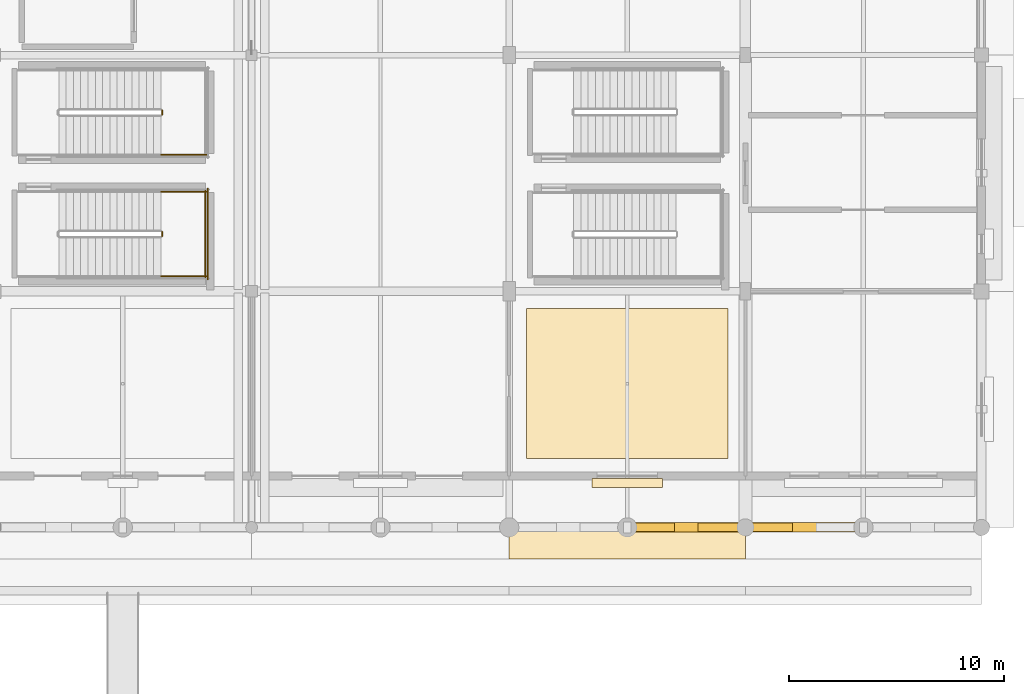
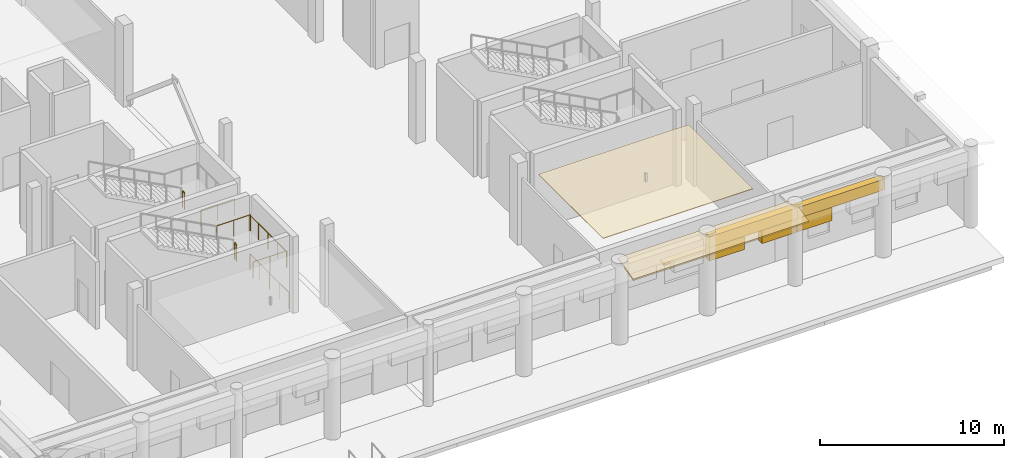
# One storey, part 110 of 120: 8 coverings, 7 railings.
"""IFC4 building model written with IfcOpenShell, lengths in metres."""

import ifcopenshell
import ifcopenshell.guid

model = None  # the IFC model being written
_history = None  # IfcOwnerHistory: only IFC2X3 demands one
_inside = {}  # id of a spatial element -> (the spatial element, [elements in it])
_under = {}  # id of a project, library or spatial element -> (it, [spatial elements below it])
_declared = {}  # id of a project -> (the project, [libraries it declares])
_typed = {}  # id of a type object -> (the type object, [elements of that type])
_made_of = {}  # id of a material, layer set ... -> (it, [elements and type objects made of it])


def new_model(schema):
    """Start an empty IFC model of exactly this schema.

    Asked for "IFC4X3", IfcOpenShell would pick the latest addendum, in which some entities
    have other attributes; the version numbers below select the first issue.
    IFC2X3 requires an IfcOwnerHistory on every rooted entity: one is made here for all.
    """
    global model, _history
    if schema == "IFC4X3":
        model = ifcopenshell.file(schema_version=(4, 3, 0, 0))
    else:
        model = ifcopenshell.file(schema=schema)
    _inside.clear()
    _under.clear()
    _declared.clear()
    _typed.clear()
    _made_of.clear()
    _history = None
    if model.schema == "IFC2X3":
        org = make("IfcOrganization", Name="unknown")
        user = make(
            "IfcPersonAndOrganization",
            ThePerson=make("IfcPerson", FamilyName="unknown"),
            TheOrganization=org,
        )
        app = make(
            "IfcApplication",
            ApplicationDeveloper=org,
            Version="unknown",
            ApplicationFullName="unknown",
            ApplicationIdentifier="unknown",
        )
        _history = make(
            "IfcOwnerHistory",
            OwningUser=user,
            OwningApplication=app,
            ChangeAction="ADDED",
            CreationDate=0,
        )
    return model


def make(cls, **values):
    """One entity of the class cls with the attributes given. An attribute that is None is left unset."""
    return model.create_entity(
        cls, **{name: value for name, value in values.items() if value is not None}
    )


def rooted(cls, **values):
    """An entity with a GlobalId (a new one), such as an element, a storey or a relation."""
    return make(cls, GlobalId=ifcopenshell.guid.new(), OwnerHistory=_history, **values)


def si_unit(unit_type, name, prefix=None):
    """IfcSIUnit, for example si_unit("LENGTHUNIT", "METRE", prefix="MILLI")."""
    return make("IfcSIUnit", UnitType=unit_type, Prefix=prefix, Name=name)


def assignment(units):
    """IfcUnitAssignment: the units of a project."""
    return None if units is None else make("IfcUnitAssignment", Units=units)


def point(xyz):
    """IfcCartesianPoint."""
    return None if xyz is None else make("IfcCartesianPoint", Coordinates=xyz)


def direction(xyz):
    """IfcDirection."""
    return None if xyz is None else make("IfcDirection", DirectionRatios=xyz)


def frame(location, z_axis=None, x_axis=None):
    """IfcAxis2Placement3D, a coordinate frame: its origin and axes. An axis left out is left unset."""
    return make(
        "IfcAxis2Placement3D",
        Location=point(location),
        Axis=direction(z_axis),
        RefDirection=direction(x_axis),
    )


def frame_2d(location, x_axis=None):
    """IfcAxis2Placement2D, a coordinate frame in the plane: its origin and x axis."""
    return make(
        "IfcAxis2Placement2D", Location=point(location), RefDirection=direction(x_axis)
    )


def origin():
    """The frame at (0, 0, 0) with its axes left unset."""
    return frame((0.0, 0.0, 0.0))


def origin_2d():
    """The frame at (0, 0) in the plane with its x axis left unset."""
    return frame_2d((0.0, 0.0))


def place(relative_to, where):
    """IfcLocalPlacement: puts the frame where relative to a parent placement (None: the world)."""
    return make(
        "IfcLocalPlacement", PlacementRelTo=relative_to, RelativePlacement=where
    )


def context(
    kind, dimensions, precision=None, world=None, true_north=None, identifier=None
):
    """IfcGeometricRepresentationContext, for example the 3D "Model" context."""
    return make(
        "IfcGeometricRepresentationContext",
        ContextIdentifier=identifier,
        ContextType=kind,
        CoordinateSpaceDimension=dimensions,
        Precision=precision,
        WorldCoordinateSystem=world,
        TrueNorth=true_north,
    )


def subcontext(parent, identifier, kind, view, scale=None):
    """IfcGeometricRepresentationSubContext, for example "Body" below "Model"."""
    return make(
        "IfcGeometricRepresentationSubContext",
        ContextIdentifier=identifier,
        ContextType=kind,
        ParentContext=parent,
        TargetScale=scale,
        TargetView=view,
    )


def project(units=None, contexts=None):
    """IfcProject with its units and contexts."""
    return rooted(
        "IfcProject",
        Name="project",
        RepresentationContexts=contexts,
        UnitsInContext=assignment(units),
    )


def spatial(cls, under=None, at=None, **own):
    """A site, building, storey or space (cls), placed at a placement, below another one or the project."""
    s = rooted(cls, ObjectPlacement=at, **own)
    if under is not None:
        _under.setdefault(under.id(), (under, []))[1].append(s)
    return s


def polyline(points):
    """IfcPolyline through the points."""
    return make("IfcPolyline", Points=[point(p) for p in points])


def profile(cls, at=None, kind="AREA", **sizes):
    """A parametric profile (cls). Its sizes go by their IFC names, for example OverallWidth=200.0."""
    return make(cls, ProfileType=kind, Position=at, **sizes)


def rectangle(**sizes):
    """IfcRectangleProfileDef."""
    return profile("IfcRectangleProfileDef", **sizes)


def circle(**sizes):
    """IfcCircleProfileDef."""
    return profile("IfcCircleProfileDef", **sizes)


def outline(outer, holes=None, kind="AREA"):
    """IfcArbitraryClosedProfileDef: a profile drawn as a closed curve; with holes, ...WithVoids."""
    if holes is None:
        return make("IfcArbitraryClosedProfileDef", ProfileType=kind, OuterCurve=outer)
    return make(
        "IfcArbitraryProfileDefWithVoids",
        ProfileType=kind,
        OuterCurve=outer,
        InnerCurves=holes,
    )


def extrude(swept, where, along, depth):
    """IfcExtrudedAreaSolid: the profile swept, set in the frame where, extruded along a direction by depth."""
    return make(
        "IfcExtrudedAreaSolid",
        SweptArea=swept,
        Position=where,
        ExtrudedDirection=direction(along),
        Depth=depth,
    )


def shape(context_of_items, identifier, shape_type, items):
    """IfcShapeRepresentation: the items that make up one representation, for example the "Body"."""
    return make(
        "IfcShapeRepresentation",
        ContextOfItems=context_of_items,
        RepresentationIdentifier=identifier,
        RepresentationType=shape_type,
        Items=items,
    )


def material(Name=None, Category=None):
    """IfcMaterial."""
    return make("IfcMaterial", Name=Name, Category=Category)


def layer(
    of_material, thickness, ventilated=None, Name=None, Category=None, Priority=None
):
    """IfcMaterialLayer: one layer of a wall or slab, of a material (None: an air gap)."""
    return make(
        "IfcMaterialLayer",
        Material=of_material,
        LayerThickness=thickness,
        IsVentilated=ventilated,
        Name=Name,
        Category=Category,
        Priority=Priority,
    )


def layer_set(layers, Name=None):
    """IfcMaterialLayerSet."""
    return make("IfcMaterialLayerSet", MaterialLayers=layers, LayerSetName=Name)


def made_of(thing, what):
    """Note that an element or type object is made of a material, layer set ...; save() writes the relation."""
    if what is not None:
        _made_of.setdefault(what.id(), (what, []))[1].append(thing)
    return thing


def type_object(cls, material=None, **own):
    """A type object (cls), such as IfcWallType, which elements share."""
    return made_of(rooted(cls, **own), material)


def element(
    cls,
    number,
    at=None,
    inside=None,
    cuts=None,
    type_object=None,
    material=None,
    context=None,
    identifier="Body",
    shape_type=None,
    held_by="IfcProductDefinitionShape",
    body=None,
    shapes=None,
    **own,
):
    """One element of the class cls, such as IfcWall. Its Tag is "e" and its number.

    at: its placement. inside: the storey or other place that contains it. cuts: it is an
    opening in that element (IfcRelVoidsElement). A single representation is given by context,
    identifier, shape_type and body (its items); several are given by shapes. held_by: the class
    of the entity that holds the representations. save() writes the other relations.
    """
    e = rooted(cls, Tag="e%d" % number, ObjectPlacement=at, **own)
    if body is not None:
        shapes = [shape(context, identifier, shape_type, body)]
    if shapes is not None:
        e.Representation = make(held_by, Representations=shapes)
    if inside is not None:
        _inside.setdefault(inside.id(), (inside, []))[1].append(e)
    if cuts is not None:
        rooted(
            "IfcRelVoidsElement", RelatingBuildingElement=cuts, RelatedOpeningElement=e
        )
    if type_object is not None:
        _typed.setdefault(type_object.id(), (type_object, []))[1].append(e)
    return made_of(e, material)


def aggregate(whole, parts):
    """IfcRelAggregates: a whole, such as a stair, and the parts it consists of."""
    return rooted("IfcRelAggregates", RelatingObject=whole, RelatedObjects=parts)


def save(model, path):
    """Write the relations noted so far, then the file.

    IfcRelAggregates (storeys below a building ...), IfcRelContainedInSpatialStructure (elements
    in a storey), IfcRelDefinesByType, IfcRelAssociatesMaterial and IfcRelDeclares: one each for
    every whole, place, type object, material and project.
    """
    for whole, parts in _under.values():
        aggregate(whole, parts)
    for where, things in _inside.values():
        rooted(
            "IfcRelContainedInSpatialStructure",
            RelatedElements=things,
            RelatingStructure=where,
        )
    for kind, things in _typed.values():
        rooted("IfcRelDefinesByType", RelatedObjects=things, RelatingType=kind)
    for what, things in _made_of.values():
        rooted("IfcRelAssociatesMaterial", RelatedObjects=things, RelatingMaterial=what)
    for by, libraries in _declared.values():
        rooted("IfcRelDeclares", RelatingContext=by, RelatedDefinitions=libraries)
    model.write(path)


model = new_model("IFC4")

# Units and contexts
model_context = context("Model", 3, precision=1e-05, world=origin(), true_north=direction((0.0, 1.0)))
body_context = subcontext(model_context, "Body", "Model", "MODEL_VIEW")
ifc_project = project(units=[si_unit("LENGTHUNIT", "METRE"), si_unit("AREAUNIT", "SQUARE_METRE"), si_unit("VOLUMEUNIT", "CUBIC_METRE"), si_unit("PLANEANGLEUNIT", "RADIAN"), si_unit("MASSUNIT", "GRAM", prefix="KILO")], contexts=[model_context])

# Site, building, storey
site_placement = place(None, origin())
site = spatial("IfcSite", under=ifc_project, at=site_placement, CompositionType="ELEMENT")
building_placement = place(site_placement, origin())
building = spatial("IfcBuilding", under=site, at=building_placement, Name="Luwafu Chhajja Arena", CompositionType="ELEMENT")
storey_placement = place(building_placement, origin())
storey = spatial("IfcBuildingStorey", under=building, at=storey_placement, Name="L00", CompositionType="ELEMENT", Elevation=0.0)

# Coverings
ifc_material_1 = material(Name="Red laterite sandstone cladding", Category="masonry")
ifc_layer_1 = layer(ifc_material_1, 0.074951171875, Name="Red laterite sandstone cladding")
ifc_layer_set_1 = layer_set([ifc_layer_1], Name="Red laterite sandstone cladding")
covering_type_1 = type_object("IfcCoveringType", Name="Dressed Red-Laterite Sandstone Cladding", PredefinedType="CLADDING", material=ifc_layer_set_1)
covering_1_placement = place(storey_placement, frame((184.25, 0.0, 4.33984375), z_axis=(0.0, 0.0, 1.0), x_axis=(1.0, 0.0, 0.0)))
element("IfcCovering", 1, at=covering_1_placement, inside=storey, type_object=covering_type_1, Name="L00 Mughal Riwaq Arcade Arch Frieze SLW-12", PredefinedType="CLADDING", context=body_context, shape_type="SweptSolid", body=[
    extrude(rectangle(XDim=5.5, YDim=0.43994140625, at=origin_2d()), origin(), (0.0, 0.0, 1.0), 0.719970703125),
])
for number, where, z_axis, x_axis, name in (
    (2, (182.60009765625, 0.0, 3.43994140625), (0.0, 0.0, 1.0), (1.0, 0.0, 0.0), "L00 Mughal Riwaq Corbelled Arch Haunch SLW-12A"),
    (3, (185.89990234375, 0.0, 3.43994140625), (0.0, 0.0, 1.0), (1.0, 0.0, 0.0), "L00 Mughal Riwaq Corbelled Arch Haunch SLW-12B"),
):
    element("IfcCovering", number, at=place(storey_placement, frame(where, z_axis=z_axis, x_axis=x_axis)), inside=storey, type_object=covering_type_1, Name=name, PredefinedType="CLADDING", context=body_context, shape_type="SweptSolid", body=[
        extrude(rectangle(XDim=2.199951171875, YDim=0.39990234375, at=origin_2d()), origin(), (0.0, 0.0, 1.0), 0.9599609375),
    ])
covering_2_placement = place(storey_placement, frame((189.75, 0.0, 4.33984375), z_axis=(0.0, 0.0, 1.0), x_axis=(1.0, 0.0, 0.0)))
element("IfcCovering", 4, at=covering_2_placement, inside=storey, type_object=covering_type_1, Name="L00 Mughal Riwaq Arcade Arch Frieze SLW-13", PredefinedType="CLADDING", context=body_context, shape_type="SweptSolid", body=[
    extrude(rectangle(XDim=5.5, YDim=0.43994140625, at=origin_2d()), origin(), (0.0, 0.0, 1.0), 0.719970703125),
])
covering_3_placement = place(storey_placement, frame((188.10009765625, 0.0, 3.43994140625), z_axis=(0.0, 0.0, 1.0), x_axis=(1.0, 0.0, 0.0)))
element("IfcCovering", 5, at=covering_3_placement, inside=storey, type_object=covering_type_1, Name="L00 Mughal Riwaq Corbelled Arch Haunch SLW-13A", PredefinedType="CLADDING", context=body_context, shape_type="SweptSolid", body=[
    extrude(rectangle(XDim=2.199951171875, YDim=0.39990234375, at=origin_2d()), origin(), (0.0, 0.0, 1.0), 0.9599609375),
])
covering_4_placement = place(storey_placement, frame((176.0, 0.199951171875, 5.360107421875), z_axis=(0.0, -0.242635142566, 0.970117615339), x_axis=(1.0, 0.0, 0.0)))
element("IfcCovering", 6, at=covering_4_placement, inside=storey, type_object=covering_type_1, Name="L00 Continuous Sloped Sandstone Chhajja Eave 0044", PredefinedType="CLADDING", context=body_context, shape_type="SweptSolid", body=[
    extrude(outline(polyline([(0.0, 0.0), (11.0, 0.0), (11.0, -1.7316783182390405), (0.0, -1.7316783182390405), (0.0, 0.0)])), origin(), (0.0, 0.0, -1.0), 0.1298828125),
])
covering_5_placement = place(storey_placement, frame((181.5, 2.06005859375, 2.47998046875), z_axis=(0.0, 0.0, 1.0), x_axis=(1.0, 0.0, 0.0)))
element("IfcCovering", 7, at=covering_5_placement, inside=storey, type_object=covering_type_1, Name="L00 Mughal Sandstone Window Chhajja Hood 0170", PredefinedType="CLADDING", context=body_context, shape_type="SweptSolid", body=[
    extrude(rectangle(XDim=3.300048828125, YDim=0.419921875, at=origin_2d()), origin(), (0.0, 0.0, 1.0), 0.139892578125),
])
ifc_material_2 = material(Name="Acoustic gypsum ceiling board")
ifc_layer_2 = layer(ifc_material_2, 0.0400390625, Name="Acoustic gypsum ceiling board")
ifc_layer_set_2 = layer_set([ifc_layer_2], Name="Acoustic gypsum ceiling board")
covering_type_2 = type_object("IfcCoveringType", Name="Perforated Acoustic Baffle Ceiling", PredefinedType="CEILING", material=ifc_layer_set_2)
covering_6_placement = place(storey_placement, frame((0.0, 0.0, 4.499267578125)))
element("IfcCovering", 8, at=covering_6_placement, inside=storey, type_object=covering_type_2, Name="L00 Acoustic Baffle Ceiling 017", PredefinedType="CEILING", context=body_context, shape_type="SweptSolid", body=[
    extrude(outline(polyline([(176.800048828125, 3.199951171875), (186.199951171875, 3.199951171875), (186.199951171875, 10.199951171875), (176.800048828125, 10.199951171875), (176.800048828125, 3.199951171875)])), origin(), (0.0, 0.0, 1.0), 0.0400390625),
])

# Railings
ifc_material_3 = material(Name="Stainless steel balustrade", Category="steel")
railing_type = type_object("IfcRailingType", Name="Stair and Terrace Guard Balustrade 1100", PredefinedType="BALUSTRADE", material=ifc_material_3)
railing_1_placement = place(storey_placement, frame((159.830078125, 13.570068359375, 2.699951171875)))
element("IfcRailing", 9, at=railing_1_placement, inside=storey, type_object=railing_type, Name="L00 ST-03 stair guard 2", PredefinedType="BALUSTRADE", context=body_context, shape_type="SweptSolid", body=[
    extrude(circle(Radius=0.02392578125, at=origin_2d()), frame((0.0, 0.0, 1.076171875), z_axis=(0.0, 1.0, 0.0), x_axis=(-1.0, 0.0, 0.0)), (0.0, 0.0, 1.0), 0.199951171875),
    extrude(circle(Radius=0.02099609375, at=origin_2d()), origin(), (0.0, 0.0, 1.0), 1.052001953125),
    extrude(circle(Radius=0.02099609375, at=origin_2d()), frame((0.0, 0.199951171875, 0.0)), (0.0, 0.0, 1.0), 1.052001953125),
])
for number, where, name in (
    (10, (159.780029296875, 11.699951171875, 2.699951171875), "L00 ST-03 stair guard 3"),
    (11, (159.780029296875, 15.639892578125, 2.699951171875), "L00 ST-03 stair guard 4"),
):
    element("IfcRailing", number, at=place(storey_placement, frame(where)), inside=storey, type_object=railing_type, Name=name, PredefinedType="BALUSTRADE", context=body_context, shape_type="SweptSolid", body=[
        extrude(circle(Radius=0.02392578125, at=origin_2d()), frame((0.0, 0.0, 1.076171875), z_axis=(1.0, 0.0, 0.0), x_axis=(0.0, 1.0, 0.0)), (0.0, 0.0, 1.0), 2.119873046875),
        extrude(circle(Radius=0.02099609375, at=origin_2d()), origin(), (0.0, 0.0, 1.0), 1.052001953125),
        extrude(circle(Radius=0.02099609375, at=origin_2d()), frame((1.06005859375, 0.0, 0.0)), (0.0, 0.0, 1.0), 1.052001953125),
        extrude(circle(Radius=0.02099609375, at=origin_2d()), frame((2.119873046875, 0.0, 0.0)), (0.0, 0.0, 1.0), 1.052001953125),
    ])
railing_2_placement = place(storey_placement, frame((161.85009765625, 11.64990234375, 2.699951171875)))
element("IfcRailing", 12, at=railing_2_placement, inside=storey, type_object=railing_type, Name="L00 ST-03 stair guard 5", PredefinedType="BALUSTRADE", context=body_context, shape_type="SweptSolid", body=[
    extrude(circle(Radius=0.02392578125, at=origin_2d()), frame((0.0, 0.0, 1.076171875), z_axis=(0.0, 1.0, 0.0), x_axis=(-1.0, 0.0, 0.0)), (0.0, 0.0, 1.0), 4.0400390625),
    extrude(circle(Radius=0.02099609375, at=origin_2d()), origin(), (0.0, 0.0, 1.0), 1.052001953125),
    extrude(circle(Radius=0.02099609375, at=origin_2d()), frame((0.0, 1.010009765625, 0.0)), (0.0, 0.0, 1.0), 1.052001953125),
    extrude(circle(Radius=0.02099609375, at=origin_2d()), frame((0.0, 2.02001953125, 0.0)), (0.0, 0.0, 1.0), 1.052001953125),
    extrude(circle(Radius=0.02099609375, at=origin_2d()), frame((0.0, 3.030029296875, 0.0)), (0.0, 0.0, 1.0), 1.052001953125),
    extrude(circle(Radius=0.02099609375, at=origin_2d()), frame((0.0, 4.0400390625, 0.0)), (0.0, 0.0, 1.0), 1.052001953125),
])
railing_3_placement = place(storey_placement, frame((161.949951171875, 11.550048828125, 0.0)))
element("IfcRailing", 13, at=railing_3_placement, inside=storey, type_object=railing_type, Name="L00 ST-03 stair guard 12", PredefinedType="BALUSTRADE", context=body_context, shape_type="SweptSolid", body=[
    extrude(circle(Radius=0.02392578125, at=origin_2d()), frame((0.0, 0.0, 1.076171875), z_axis=(0.0, 1.0, 0.0), x_axis=(-1.0, 0.0, 0.0)), (0.0, 0.0, 1.0), 4.239990234375),
    extrude(circle(Radius=0.02099609375, at=origin_2d()), origin(), (0.0, 0.0, 1.0), 1.052001953125),
    extrude(circle(Radius=0.02099609375, at=origin_2d()), frame((0.0, 1.06005859375, 0.0)), (0.0, 0.0, 1.0), 1.052001953125),
    extrude(circle(Radius=0.02099609375, at=origin_2d()), frame((0.0, 2.1201171875, 0.0)), (0.0, 0.0, 1.0), 1.052001953125),
    extrude(circle(Radius=0.02099609375, at=origin_2d()), frame((0.0, 3.179931640625, 0.0)), (0.0, 0.0, 1.0), 1.052001953125),
    extrude(circle(Radius=0.02099609375, at=origin_2d()), frame((0.0, 4.239990234375, 0.0)), (0.0, 0.0, 1.0), 1.052001953125),
])
railing_4_placement = place(storey_placement, frame((159.830078125, 19.22998046875, 2.699951171875)))
element("IfcRailing", 14, at=railing_4_placement, inside=storey, type_object=railing_type, Name="L00 ST-04 stair guard 2", PredefinedType="BALUSTRADE", context=body_context, shape_type="SweptSolid", body=[
    extrude(circle(Radius=0.02392578125, at=origin_2d()), frame((0.0, 0.0, 1.076171875), z_axis=(0.0, 1.0, 0.0), x_axis=(-1.0, 0.0, 0.0)), (0.0, 0.0, 1.0), 0.199951171875),
    extrude(circle(Radius=0.02099609375, at=origin_2d()), origin(), (0.0, 0.0, 1.0), 1.052001953125),
    extrude(circle(Radius=0.02099609375, at=origin_2d()), frame((0.0, 0.199951171875, 0.0)), (0.0, 0.0, 1.0), 1.052001953125),
])
railing_5_placement = place(storey_placement, frame((159.780029296875, 17.360107421875, 2.699951171875)))
element("IfcRailing", 15, at=railing_5_placement, inside=storey, type_object=railing_type, Name="L00 ST-04 stair guard 3", PredefinedType="BALUSTRADE", context=body_context, shape_type="SweptSolid", body=[
    extrude(circle(Radius=0.02392578125, at=origin_2d()), frame((0.0, 0.0, 1.076171875), z_axis=(1.0, 0.0, 0.0), x_axis=(0.0, 1.0, 0.0)), (0.0, 0.0, 1.0), 2.119873046875),
    extrude(circle(Radius=0.02099609375, at=origin_2d()), origin(), (0.0, 0.0, 1.0), 1.052001953125),
    extrude(circle(Radius=0.02099609375, at=origin_2d()), frame((1.06005859375, 0.0, 0.0)), (0.0, 0.0, 1.0), 1.052001953125),
    extrude(circle(Radius=0.02099609375, at=origin_2d()), frame((2.119873046875, 0.0, 0.0)), (0.0, 0.0, 1.0), 1.052001953125),
])

save(model, "model.ifc")
